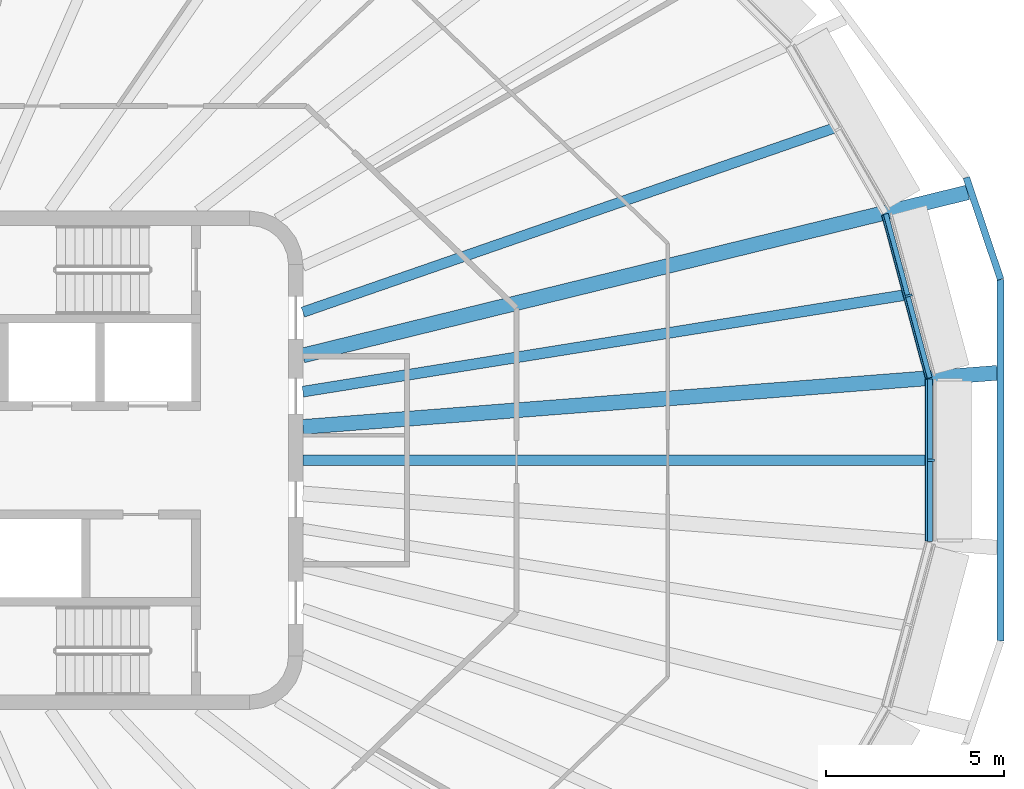
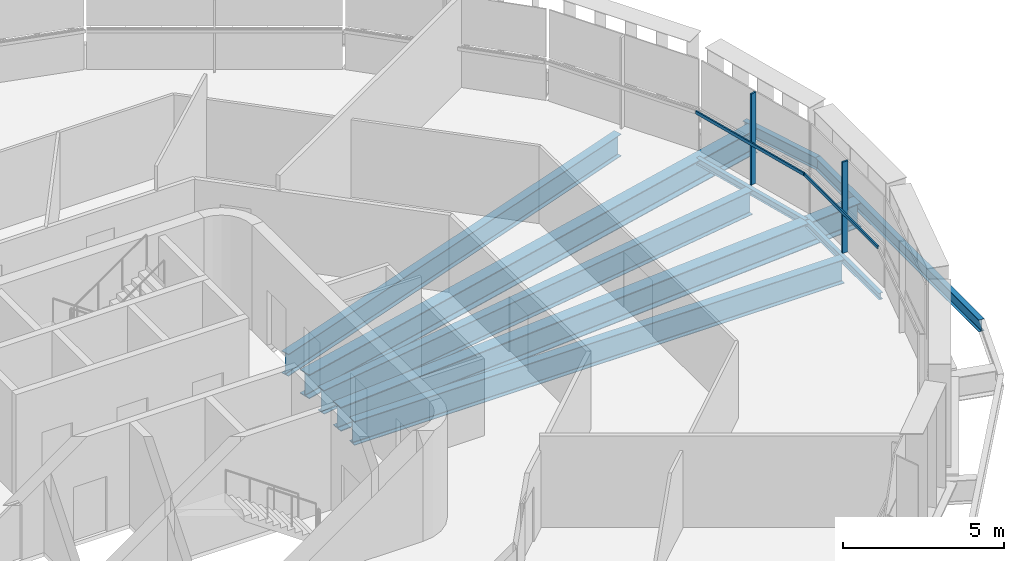
# One storey, part 5 of 20: 9 beams, 4 members, 2 elements without a shape of their own.
"""IFC4 building model written with IfcOpenShell, lengths in metres."""

import ifcopenshell
import ifcopenshell.guid

model = None  # the IFC model being written
_history = None  # IfcOwnerHistory: only IFC2X3 demands one
_inside = {}  # id of a spatial element -> (the spatial element, [elements in it])
_under = {}  # id of a project, library or spatial element -> (it, [spatial elements below it])
_declared = {}  # id of a project -> (the project, [libraries it declares])
_typed = {}  # id of a type object -> (the type object, [elements of that type])
_made_of = {}  # id of a material, layer set ... -> (it, [elements and type objects made of it])


def new_model(schema):
    """Start an empty IFC model of exactly this schema.

    Asked for "IFC4X3", IfcOpenShell would pick the latest addendum, in which some entities
    have other attributes; the version numbers below select the first issue.
    IFC2X3 requires an IfcOwnerHistory on every rooted entity: one is made here for all.
    """
    global model, _history
    if schema == "IFC4X3":
        model = ifcopenshell.file(schema_version=(4, 3, 0, 0))
    else:
        model = ifcopenshell.file(schema=schema)
    _inside.clear()
    _under.clear()
    _declared.clear()
    _typed.clear()
    _made_of.clear()
    _history = None
    if model.schema == "IFC2X3":
        org = make("IfcOrganization", Name="unknown")
        user = make(
            "IfcPersonAndOrganization",
            ThePerson=make("IfcPerson", FamilyName="unknown"),
            TheOrganization=org,
        )
        app = make(
            "IfcApplication",
            ApplicationDeveloper=org,
            Version="unknown",
            ApplicationFullName="unknown",
            ApplicationIdentifier="unknown",
        )
        _history = make(
            "IfcOwnerHistory",
            OwningUser=user,
            OwningApplication=app,
            ChangeAction="ADDED",
            CreationDate=0,
        )
    return model


def make(cls, **values):
    """One entity of the class cls with the attributes given. An attribute that is None is left unset."""
    return model.create_entity(
        cls, **{name: value for name, value in values.items() if value is not None}
    )


def rooted(cls, **values):
    """An entity with a GlobalId (a new one), such as an element, a storey or a relation."""
    return make(cls, GlobalId=ifcopenshell.guid.new(), OwnerHistory=_history, **values)


def si_unit(unit_type, name, prefix=None):
    """IfcSIUnit, for example si_unit("LENGTHUNIT", "METRE", prefix="MILLI")."""
    return make("IfcSIUnit", UnitType=unit_type, Prefix=prefix, Name=name)


def assignment(units):
    """IfcUnitAssignment: the units of a project."""
    return None if units is None else make("IfcUnitAssignment", Units=units)


def point(xyz):
    """IfcCartesianPoint."""
    return None if xyz is None else make("IfcCartesianPoint", Coordinates=xyz)


def direction(xyz):
    """IfcDirection."""
    return None if xyz is None else make("IfcDirection", DirectionRatios=xyz)


def frame(location, z_axis=None, x_axis=None):
    """IfcAxis2Placement3D, a coordinate frame: its origin and axes. An axis left out is left unset."""
    return make(
        "IfcAxis2Placement3D",
        Location=point(location),
        Axis=direction(z_axis),
        RefDirection=direction(x_axis),
    )


def frame_2d(location, x_axis=None):
    """IfcAxis2Placement2D, a coordinate frame in the plane: its origin and x axis."""
    return make(
        "IfcAxis2Placement2D", Location=point(location), RefDirection=direction(x_axis)
    )


def origin():
    """The frame at (0, 0, 0) with its axes left unset."""
    return frame((0.0, 0.0, 0.0))


def origin_2d():
    """The frame at (0, 0) in the plane with its x axis left unset."""
    return frame_2d((0.0, 0.0))


def place(relative_to, where):
    """IfcLocalPlacement: puts the frame where relative to a parent placement (None: the world)."""
    return make(
        "IfcLocalPlacement", PlacementRelTo=relative_to, RelativePlacement=where
    )


def context(
    kind, dimensions, precision=None, world=None, true_north=None, identifier=None
):
    """IfcGeometricRepresentationContext, for example the 3D "Model" context."""
    return make(
        "IfcGeometricRepresentationContext",
        ContextIdentifier=identifier,
        ContextType=kind,
        CoordinateSpaceDimension=dimensions,
        Precision=precision,
        WorldCoordinateSystem=world,
        TrueNorth=true_north,
    )


def subcontext(parent, identifier, kind, view, scale=None):
    """IfcGeometricRepresentationSubContext, for example "Body" below "Model"."""
    return make(
        "IfcGeometricRepresentationSubContext",
        ContextIdentifier=identifier,
        ContextType=kind,
        ParentContext=parent,
        TargetScale=scale,
        TargetView=view,
    )


def project(units=None, contexts=None):
    """IfcProject with its units and contexts."""
    return rooted(
        "IfcProject",
        Name="project",
        RepresentationContexts=contexts,
        UnitsInContext=assignment(units),
    )


def spatial(cls, under=None, at=None, **own):
    """A site, building, storey or space (cls), placed at a placement, below another one or the project."""
    s = rooted(cls, ObjectPlacement=at, **own)
    if under is not None:
        _under.setdefault(under.id(), (under, []))[1].append(s)
    return s


def profile(cls, at=None, kind="AREA", **sizes):
    """A parametric profile (cls). Its sizes go by their IFC names, for example OverallWidth=200.0."""
    return make(cls, ProfileType=kind, Position=at, **sizes)


def rectangle(**sizes):
    """IfcRectangleProfileDef."""
    return profile("IfcRectangleProfileDef", **sizes)


def i_section(**sizes):
    """IfcIShapeProfileDef."""
    return profile("IfcIShapeProfileDef", **sizes)


def extrude(swept, where, along, depth):
    """IfcExtrudedAreaSolid: the profile swept, set in the frame where, extruded along a direction by depth."""
    return make(
        "IfcExtrudedAreaSolid",
        SweptArea=swept,
        Position=where,
        ExtrudedDirection=direction(along),
        Depth=depth,
    )


def shape(context_of_items, identifier, shape_type, items):
    """IfcShapeRepresentation: the items that make up one representation, for example the "Body"."""
    return make(
        "IfcShapeRepresentation",
        ContextOfItems=context_of_items,
        RepresentationIdentifier=identifier,
        RepresentationType=shape_type,
        Items=items,
    )


def material(Name=None, Category=None):
    """IfcMaterial."""
    return make("IfcMaterial", Name=Name, Category=Category)


def layer(
    of_material, thickness, ventilated=None, Name=None, Category=None, Priority=None
):
    """IfcMaterialLayer: one layer of a wall or slab, of a material (None: an air gap)."""
    return make(
        "IfcMaterialLayer",
        Material=of_material,
        LayerThickness=thickness,
        IsVentilated=ventilated,
        Name=Name,
        Category=Category,
        Priority=Priority,
    )


def layer_set(layers, Name=None):
    """IfcMaterialLayerSet."""
    return make("IfcMaterialLayerSet", MaterialLayers=layers, LayerSetName=Name)


def material_profile(
    of_material, cross_section, Name=None, Category=None, Priority=None
):
    """IfcMaterialProfile: a cross section and its material."""
    return make(
        "IfcMaterialProfile",
        Name=Name,
        Material=of_material,
        Profile=cross_section,
        Priority=Priority,
        Category=Category,
    )


def profile_set(profiles, Name=None, composite=None):
    """IfcMaterialProfileSet."""
    return make(
        "IfcMaterialProfileSet",
        Name=Name,
        MaterialProfiles=profiles,
        CompositeProfile=composite,
    )


def made_of(thing, what):
    """Note that an element or type object is made of a material, layer set ...; save() writes the relation."""
    if what is not None:
        _made_of.setdefault(what.id(), (what, []))[1].append(thing)
    return thing


def type_object(cls, material=None, **own):
    """A type object (cls), such as IfcWallType, which elements share."""
    return made_of(rooted(cls, **own), material)


def element(
    cls,
    number,
    at=None,
    inside=None,
    cuts=None,
    type_object=None,
    material=None,
    context=None,
    identifier="Body",
    shape_type=None,
    held_by="IfcProductDefinitionShape",
    body=None,
    shapes=None,
    **own,
):
    """One element of the class cls, such as IfcWall. Its Tag is "e" and its number.

    at: its placement. inside: the storey or other place that contains it. cuts: it is an
    opening in that element (IfcRelVoidsElement). A single representation is given by context,
    identifier, shape_type and body (its items); several are given by shapes. held_by: the class
    of the entity that holds the representations. save() writes the other relations.
    """
    e = rooted(cls, Tag="e%d" % number, ObjectPlacement=at, **own)
    if body is not None:
        shapes = [shape(context, identifier, shape_type, body)]
    if shapes is not None:
        e.Representation = make(held_by, Representations=shapes)
    if inside is not None:
        _inside.setdefault(inside.id(), (inside, []))[1].append(e)
    if cuts is not None:
        rooted(
            "IfcRelVoidsElement", RelatingBuildingElement=cuts, RelatedOpeningElement=e
        )
    if type_object is not None:
        _typed.setdefault(type_object.id(), (type_object, []))[1].append(e)
    return made_of(e, material)


def aggregate(whole, parts):
    """IfcRelAggregates: a whole, such as a stair, and the parts it consists of."""
    return rooted("IfcRelAggregates", RelatingObject=whole, RelatedObjects=parts)


def save(model, path):
    """Write the relations noted so far, then the file.

    IfcRelAggregates (storeys below a building ...), IfcRelContainedInSpatialStructure (elements
    in a storey), IfcRelDefinesByType, IfcRelAssociatesMaterial and IfcRelDeclares: one each for
    every whole, place, type object, material and project.
    """
    for whole, parts in _under.values():
        aggregate(whole, parts)
    for where, things in _inside.values():
        rooted(
            "IfcRelContainedInSpatialStructure",
            RelatedElements=things,
            RelatingStructure=where,
        )
    for kind, things in _typed.values():
        rooted("IfcRelDefinesByType", RelatedObjects=things, RelatingType=kind)
    for what, things in _made_of.values():
        rooted("IfcRelAssociatesMaterial", RelatedObjects=things, RelatingMaterial=what)
    for by, libraries in _declared.values():
        rooted("IfcRelDeclares", RelatingContext=by, RelatedDefinitions=libraries)
    model.write(path)


model = new_model("IFC4")

# Units and contexts
model_context = context("Model", 3, precision=1e-05, world=origin(), true_north=direction((0.0, 1.0)))
body_context = subcontext(model_context, "Body", "Model", "MODEL_VIEW")
ifc_project = project(units=[si_unit("LENGTHUNIT", "METRE"), si_unit("AREAUNIT", "SQUARE_METRE"), si_unit("VOLUMEUNIT", "CUBIC_METRE"), si_unit("PLANEANGLEUNIT", "RADIAN"), si_unit("MASSUNIT", "GRAM", prefix="KILO")], contexts=[model_context])

# Site, building, storey
site_placement = place(None, origin())
site = spatial("IfcSite", under=ifc_project, at=site_placement, CompositionType="ELEMENT")
building_placement = place(site_placement, origin())
building = spatial("IfcBuilding", under=site, at=building_placement, Name="Sahrelin Media Tower", CompositionType="ELEMENT")
storey_placement = place(building_placement, frame((0.0, 0.0, 271.0)))
storey = spatial("IfcBuildingStorey", under=building, at=storey_placement, Name="L59", CompositionType="ELEMENT", Elevation=271.0)

# Beams
ifc_material_1 = material(Name="Steel S355", Category="steel")
ifc_material_profile_1 = material_profile(ifc_material_1, i_section(OverallWidth=0.14599609375, OverallDepth=0.25146484375, WebThickness=0.006103515625, FlangeThickness=0.008544921875, FilletRadius=0.007568359375, at=origin_2d()), Name="UB 254x146x31")
ifc_profile_set_1 = profile_set([ifc_material_profile_1], Name="Steel S355")
beam_type_1 = type_object("IfcBeamType", Name="Edge beam EB1", PredefinedType="BEAM", material=ifc_profile_set_1)
beam_1_placement = place(storey_placement, frame((29.60791015625, 2.2841796875, -0.275634765625), z_axis=(0.0, -1.0, 0.0), x_axis=(1.0, 0.0, 0.0)))
element("IfcBeam", 1, at=beam_1_placement, inside=storey, type_object=beam_type_1, Name="Edge beam L59-01", PredefinedType="BEAM", context=body_context, shape_type="SweptSolid", body=[
    extrude(i_section(OverallWidth=0.14599609375, OverallDepth=0.25146484375, WebThickness=0.006103515625, FlangeThickness=0.008544921875, FilletRadius=0.007568359375, at=origin_2d()), origin(), (0.0, 0.0, 1.0), 4.568359375),
])
beam_2_placement = place(storey_placement, frame((28.3701171875, 6.9189453125, -0.275634765625), z_axis=(0.258765089841, -0.965940281943, 0.0), x_axis=(0.965940281943, 0.258765089841, 0.0)))
element("IfcBeam", 2, at=beam_2_placement, inside=storey, type_object=beam_type_1, Name="Edge beam L59-24", PredefinedType="BEAM", context=body_context, shape_type="SweptSolid", body=[
    extrude(i_section(OverallWidth=0.14599609375, OverallDepth=0.25146484375, WebThickness=0.006103515625, FlangeThickness=0.008544921875, FilletRadius=0.007568359375, at=origin_2d()), origin(), (0.0, 0.0, 1.0), 4.768310546875),
])

# Curtain wall, member
ifc_material_2 = material(Name="Champagne anodised aluminium 6063-T6", Category="aluminium")
ifc_layer = layer(ifc_material_2, 0.14990234375)
ifc_layer_set = layer_set([ifc_layer], Name="Tower ribbon curtain wall")
curtain_wall_type = type_object("IfcCurtainWallType", Name="Tower ribbon curtain wall", PredefinedType="NOTDEFINED", material=ifc_layer_set)
curtain_wall_1_placement = place(storey_placement, frame((29.7578125, 0.0, 0.0), z_axis=(0.0, 0.0, 1.0), x_axis=(1.0, 0.0, 0.0)))
curtain_wall_1 = element("IfcCurtainWall", 3, at=curtain_wall_1_placement, inside=storey, type_object=curtain_wall_type, Name="L59:CW:L59-00", PredefinedType="NOTDEFINED")
ifc_material_profile_2 = material_profile(ifc_material_2, rectangle(XDim=0.06005859375, YDim=0.199951171875, at=origin_2d()), Name="Mullion 60x200")
ifc_profile_set_2 = profile_set([ifc_material_profile_2], Name="Champagne anodised aluminium 6063-T6")
member_type_1 = type_object("IfcMemberType", Name="Mullion 60x200 CW1C", PredefinedType="MULLION", material=ifc_profile_set_2)
member_1_placement = place(storey_placement, frame((29.637939453125, 0.0, 0.0), z_axis=(0.0, 0.0, 1.0), x_axis=(0.0, 1.0, 0.0)))
member_1 = element("IfcMember", 4, at=member_1_placement, type_object=member_type_1, Name="L59:CWM:L59-00", PredefinedType="MULLION", context=body_context, shape_type="SweptSolid", body=[
    extrude(rectangle(XDim=0.06005859375, YDim=0.199951171875, at=origin_2d()), origin(), (0.0, 0.0, 1.0), 3.448486328125),
])

curtain_wall_2_placement = place(storey_placement, frame((29.1318359375, 4.65478515625, 0.0), z_axis=(0.0, 0.0, 1.0), x_axis=(1.0, 0.0, 0.0)))
curtain_wall_2 = element("IfcCurtainWall", 5, at=curtain_wall_2_placement, inside=storey, type_object=curtain_wall_type, Name="L59:CW:L59-01", PredefinedType="NOTDEFINED")
member_2_placement = place(storey_placement, frame((29.01611328125, 4.62353515625, 0.0), z_axis=(0.0, 0.0, 1.0), x_axis=(-0.258817359244, 0.965926278012, 0.0)))
member_2 = element("IfcMember", 6, at=member_2_placement, type_object=member_type_1, Name="L59:CWM:L59-01", PredefinedType="MULLION", context=body_context, shape_type="SweptSolid", body=[
    extrude(rectangle(XDim=0.06005859375, YDim=0.199951171875, at=origin_2d()), origin(), (0.0, 0.0, 1.0), 3.448486328125),
])

# Beams
ifc_material_profile_3 = material_profile(ifc_material_1, i_section(OverallWidth=0.41845703125, OverallDepth=0.911865234375, WebThickness=0.019287109375, FlangeThickness=0.031982421875, FilletRadius=0.024169921875, at=origin_2d()), Name="UB 914x419x343")
ifc_profile_set_3 = profile_set([ifc_material_profile_3], Name="Steel S355")
beam_type_2 = type_object("IfcBeamType", Name="Radial primary beam PB12", PredefinedType="BEAM", material=ifc_profile_set_3)
beam_3_placement = place(storey_placement, frame((12.0, 0.93505859375, -0.60595703125), z_axis=(0.996978458217, 0.077678528898, 0.0), x_axis=(-0.077678528898, 0.996978458217, 0.0)))
element("IfcBeam", 7, at=beam_3_placement, inside=storey, type_object=beam_type_2, Name="Radial beam L59-01", PredefinedType="BEAM", context=body_context, shape_type="SweptSolid", body=[
    extrude(i_section(OverallWidth=0.41845703125, OverallDepth=0.911865234375, WebThickness=0.019287109375, FlangeThickness=0.031982421875, FilletRadius=0.024169921875, at=origin_2d()), origin(), (0.0, 0.0, 1.0), 19.561767578125),
])
beam_4_placement = place(storey_placement, frame((12.0, 2.94287109375, -0.60595703125), z_axis=(0.971221651072, 0.238177464278, 0.0), x_axis=(-0.238177464278, 0.971221651072, 0.0)))
element("IfcBeam", 8, at=beam_4_placement, inside=storey, type_object=beam_type_2, Name="Radial beam L59-02", PredefinedType="BEAM", context=body_context, shape_type="SweptSolid", body=[
    extrude(i_section(OverallWidth=0.41845703125, OverallDepth=0.911865234375, WebThickness=0.019287109375, FlangeThickness=0.031982421875, FilletRadius=0.024169921875, at=origin_2d()), origin(), (0.0, 0.0, 1.0), 19.228759765625),
])
ifc_material_profile_4 = material_profile(ifc_material_1, i_section(OverallWidth=0.291748046875, OverallDepth=0.8349609375, WebThickness=0.013916015625, FlangeThickness=0.018798828125, FilletRadius=0.017822265625, at=origin_2d()), Name="UB 838x292x176")
ifc_profile_set_4 = profile_set([ifc_material_profile_4], Name="Steel S355")
beam_type_3 = type_object("IfcBeamType", Name="Radial secondary beam SB10", PredefinedType="BEAM", material=ifc_profile_set_4)
beam_5_placement = place(storey_placement, frame((12.0, 4.15869140625, -0.5673828125), z_axis=(0.94486335914, 0.327464856977, 0.0), x_axis=(-0.327464856977, 0.94486335914, 0.0)))
element("IfcBeam", 9, at=beam_5_placement, inside=storey, type_object=beam_type_3, Name="Secondary beam L59-02", PredefinedType="BEAM", context=body_context, shape_type="SweptSolid", body=[
    extrude(i_section(OverallWidth=0.291748046875, OverallDepth=0.8349609375, WebThickness=0.013916015625, FlangeThickness=0.018798828125, FilletRadius=0.017822265625, at=origin_2d()), origin(), (0.0, 0.0, 1.0), 15.76171875),
])
ifc_material_profile_5 = material_profile(ifc_material_1, i_section(OverallWidth=0.30322265625, OverallDepth=0.903076171875, WebThickness=0.01513671875, FlangeThickness=0.020263671875, FilletRadius=0.01904296875, at=origin_2d()), Name="UB 914x305x201")
ifc_profile_set_5 = profile_set([ifc_material_profile_5], Name="Steel S355")
beam_type_4 = type_object("IfcBeamType", Name="Radial secondary beam SB11", PredefinedType="BEAM", material=ifc_profile_set_5)
beam_6_placement = place(storey_placement, frame((12.0, 1.92578125, -0.6015625), z_axis=(0.987364974121, 0.158462638747, 0.0), x_axis=(-0.158462638747, 0.987364974121, 0.0)))
element("IfcBeam", 10, at=beam_6_placement, inside=storey, type_object=beam_type_4, Name="Secondary beam L59-01", PredefinedType="BEAM", context=body_context, shape_type="SweptSolid", body=[
    extrude(i_section(OverallWidth=0.30322265625, OverallDepth=0.903076171875, WebThickness=0.01513671875, FlangeThickness=0.020263671875, FilletRadius=0.01904296875, at=origin_2d()), origin(), (0.0, 0.0, 1.0), 17.12158203125),
])
beam_7_placement = place(storey_placement, frame((12.0, 0.0, -0.6015625), z_axis=(1.0, 0.0, 0.0), x_axis=(0.0, 1.0, 0.0)))
element("IfcBeam", 11, at=beam_7_placement, inside=storey, type_object=beam_type_4, Name="Secondary beam L59-24", PredefinedType="BEAM", context=body_context, shape_type="SweptSolid", body=[
    extrude(i_section(OverallWidth=0.30322265625, OverallDepth=0.903076171875, WebThickness=0.01513671875, FlangeThickness=0.020263671875, FilletRadius=0.01904296875, at=origin_2d()), origin(), (0.0, 0.0, 1.0), 17.534912109375),
])
ifc_material_profile_6 = material_profile(ifc_material_1, i_section(OverallWidth=0.1904296875, OverallDepth=0.45703125, WebThickness=0.009033203125, FlangeThickness=0.014404296875, FilletRadius=0.01025390625, at=origin_2d()), Name="UB 457x191x74")
ifc_profile_set_6 = profile_set([ifc_material_profile_6], Name="Steel S355")
beam_type_5 = type_object("IfcBeamType", Name="Tie chord TC5", PredefinedType="BEAM", material=ifc_profile_set_6)
beam_8_placement = place(storey_placement, frame((31.597900390625, 5.080078125, -0.37841796875), z_axis=(-0.318942941821, 0.947773918117, 0.0), x_axis=(-0.947773918117, -0.318942941821, 0.0)))
element("IfcBeam", 12, at=beam_8_placement, inside=storey, type_object=beam_type_5, Name="Tie chord L59-01", PredefinedType="BEAM", context=body_context, shape_type="SweptSolid", body=[
    extrude(i_section(OverallWidth=0.1904296875, OverallDepth=0.45703125, WebThickness=0.009033203125, FlangeThickness=0.014404296875, FilletRadius=0.01025390625, at=origin_2d()), origin(), (0.0, 0.0, 1.0), 3.019775390625),
])
beam_9_placement = place(storey_placement, frame((31.597900390625, -5.080078125, -0.37841796875), z_axis=(0.0, 1.0, 0.0), x_axis=(-1.0, 0.0, 0.0)))
element("IfcBeam", 13, at=beam_9_placement, inside=storey, type_object=beam_type_5, Name="Tie chord L59-24", PredefinedType="BEAM", context=body_context, shape_type="SweptSolid", body=[
    extrude(i_section(OverallWidth=0.1904296875, OverallDepth=0.45703125, WebThickness=0.009033203125, FlangeThickness=0.014404296875, FilletRadius=0.01025390625, at=origin_2d()), origin(), (0.0, 0.0, 1.0), 10.16015625),
])

# Member
ifc_material_profile_7 = material_profile(ifc_material_2, rectangle(XDim=0.050048828125, YDim=0.1201171875, at=origin_2d()), Name="Transom 50x120")
ifc_profile_set_7 = profile_set([ifc_material_profile_7], Name="Champagne anodised aluminium 6063-T6")
member_type_2 = type_object("IfcMemberType", Name="Transom 50x120 CW1C", PredefinedType="USERDEFINED", material=ifc_profile_set_7)
member_3_placement = place(storey_placement, frame((29.512939453125, -2.2685546875, 1.60009765625), z_axis=(0.0, 1.0, 0.0), x_axis=(-1.0, 0.0, 0.0)))
member_3 = element("IfcMember", 14, at=member_3_placement, type_object=member_type_2, Name="L59:CWT:L59-00", ObjectType="TRANSOM", PredefinedType="USERDEFINED", context=body_context, shape_type="SweptSolid", body=[
    extrude(rectangle(XDim=0.050048828125, YDim=0.1201171875, at=origin_2d()), origin(), (0.0, 0.0, 1.0), 4.537109375),
])

aggregate(curtain_wall_1, [member_1, member_3])

member_4_placement = place(storey_placement, frame((29.50830078125, 2.303466796875, 1.60009765625), z_axis=(-0.258823672637, 0.965924586333, 0.0), x_axis=(-0.965924586333, -0.258823672637, 0.0)))
member_4 = element("IfcMember", 15, at=member_4_placement, type_object=member_type_2, Name="L59:CWT:L59-01", ObjectType="TRANSOM", PredefinedType="USERDEFINED", context=body_context, shape_type="SweptSolid", body=[
    extrude(rectangle(XDim=0.050048828125, YDim=0.1201171875, at=origin_2d()), origin(), (0.0, 0.0, 1.0), 4.737060546875),
])

aggregate(curtain_wall_2, [member_2, member_4])

save(model, "model.ifc")
